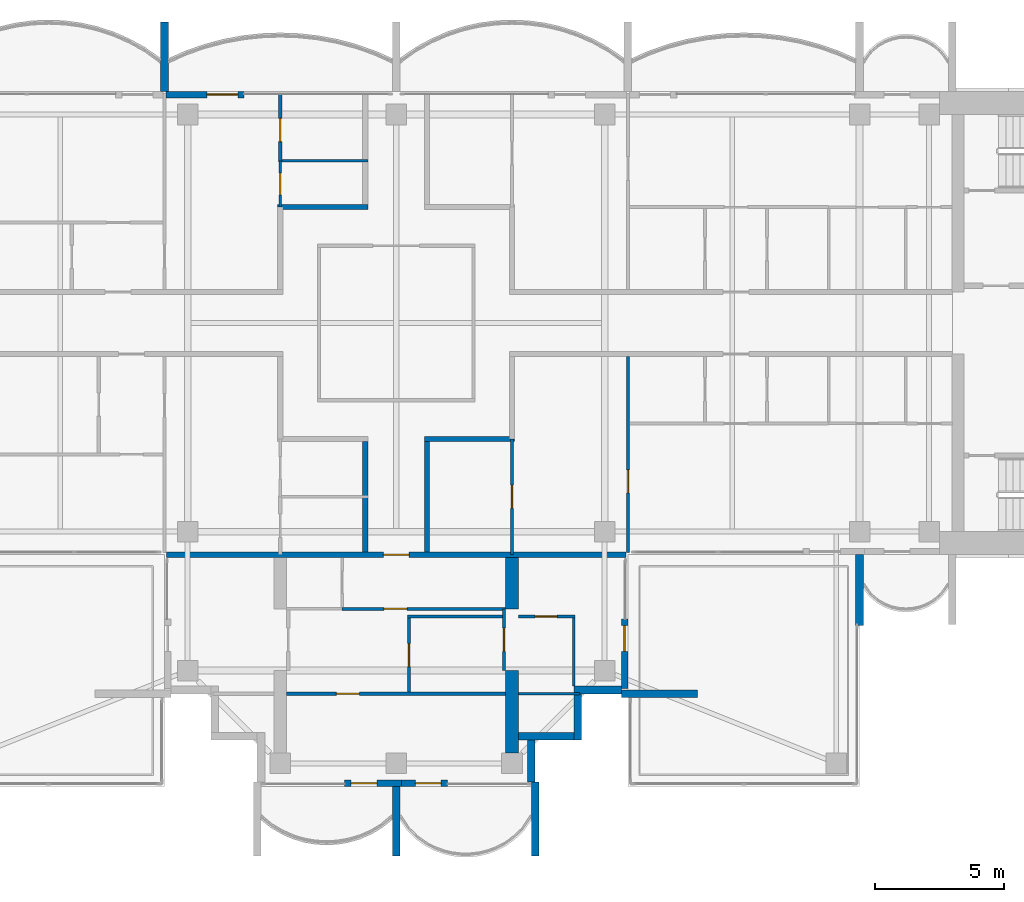
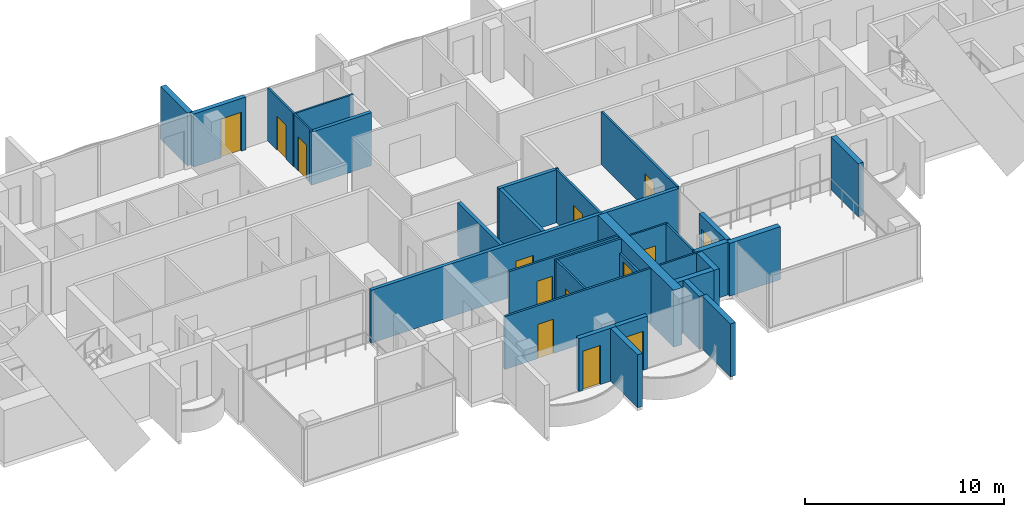
# One storey, part 9 of 16: 32 walls, 14 doors, 14 openings.
"""IFC4 building model written with IfcOpenShell, lengths in metres."""

from ifc_helpers import new_model, si_unit, direction, frame, frame_2d, origin, place, context, subcontext, project, spatial, polyline, rectangle, outline, extrude, material, layer, layer_set, material_profile, profile_set, type_object, element, fill, save


model = new_model("IFC4")

# Units and contexts
model_context = context("Model", 3, precision=1e-05, world=origin(), true_north=direction((0.0, 1.0)))
body_context = subcontext(model_context, "Body", "Model", "MODEL_VIEW")
ifc_project = project(units=[si_unit("LENGTHUNIT", "METRE"), si_unit("AREAUNIT", "SQUARE_METRE"), si_unit("VOLUMEUNIT", "CUBIC_METRE"), si_unit("PLANEANGLEUNIT", "RADIAN"), si_unit("MASSUNIT", "GRAM", prefix="KILO")], contexts=[model_context])

# Site, building, storey
site_placement = place(None, origin())
site = spatial("IfcSite", under=ifc_project, at=site_placement, CompositionType="ELEMENT")
building_placement = place(site_placement, origin())
building = spatial("IfcBuilding", under=site, at=building_placement, Name="Perihelion Cross Residences", CompositionType="ELEMENT")
storey_placement = place(building_placement, frame((0.0, 0.0, 250.0)))
storey = spatial("IfcBuildingStorey", under=building, at=storey_placement, Name="L63", CompositionType="ELEMENT", Elevation=250.0)

# Walls
ifc_material_1 = material(Name="Plasterboard partition")
ifc_layer_1 = layer(ifc_material_1, 0.199951171875)
ifc_layer_set_1 = layer_set([ifc_layer_1], Name="Apartment separation wall 200")
wall_type_1 = type_object("IfcWallType", Name="Apartment separation wall 200", PredefinedType="PARTITIONING", material=ifc_layer_set_1)
wall_1_placement = place(storey_placement, frame((4.60009765625, -4.5, 0.0), z_axis=(0.0, 0.0, 1.0), x_axis=(-1.0, 0.0, 0.0)))
element("IfcWall", 1, at=wall_1_placement, inside=storey, type_object=wall_type_1, Name="Partition L63 W011", PredefinedType="PARTITIONING", context=body_context, shape_type="SweptSolid", body=[
    extrude(rectangle(XDim=3.5, YDim=0.199951171875, at=frame_2d((1.75, 0.0))), origin(), (0.0, 0.0, 1.0), 3.25),
])
wall_2_placement = place(storey_placement, frame((1.199951171875, -4.60009765625, 0.0), z_axis=(0.0, 0.0, 1.0), x_axis=(0.0, -1.0, 0.0)))
element("IfcWall", 2, at=wall_2_placement, inside=storey, type_object=wall_type_1, Name="Partition L63 W012", PredefinedType="PARTITIONING", context=body_context, shape_type="SweptSolid", body=[
    extrude(rectangle(XDim=4.2998046875, YDim=0.199951171875, at=frame_2d((2.14990234375, 0.0))), origin(), (0.0, 0.0, 1.0), 3.25),
])
wall_3_placement = place(storey_placement, frame((-4.60009765625, 4.5, 0.0), z_axis=(0.0, 0.0, 1.0), x_axis=(1.0, 0.0, 0.0)))
element("IfcWall", 3, at=wall_3_placement, inside=storey, type_object=wall_type_1, Name="Partition L63 W015", PredefinedType="PARTITIONING", context=body_context, shape_type="SweptSolid", body=[
    extrude(rectangle(XDim=3.5, YDim=0.199951171875, at=frame_2d((1.75, 0.0))), origin(), (0.0, 0.0, 1.0), 3.25),
])
wall_4_placement = place(storey_placement, frame((-1.199951171875, -8.89990234375, 0.0), z_axis=(0.0, 0.0, 1.0), x_axis=(0.0, 1.0, 0.0)))
element("IfcWall", 4, at=wall_4_placement, inside=storey, type_object=wall_type_1, Name="Partition L63 W019", PredefinedType="PARTITIONING", context=body_context, shape_type="SweptSolid", body=[
    extrude(rectangle(XDim=4.2998046875, YDim=0.199951171875, at=frame_2d((2.14990234375, 0.0))), origin(), (0.0, 0.0, 1.0), 3.25),
])

# Wall, opening, door
wall_5_placement = place(storey_placement, frame((8.919921875, -9.0, 0.0), z_axis=(0.0, 0.0, 1.0), x_axis=(-1.0, 0.0, 0.0)))
wall_5 = element("IfcWall", 5, at=wall_5_placement, inside=storey, type_object=wall_type_1, Name="Partition L63 W021", PredefinedType="PARTITIONING", context=body_context, shape_type="SweptSolid", body=[
    extrude(rectangle(XDim=17.83984375, YDim=0.199951171875, at=frame_2d((8.919921875, 0.0))), origin(), (0.0, 0.0, 1.0), 3.25),
])
opening_1_placement = place(wall_5_placement, frame((8.419921875, 0.0, 0.0)))
opening_1 = element("IfcOpeningElement", 6, at=opening_1_placement, cuts=wall_5, Name="Opening L63.A32", PredefinedType="OPENING", context=body_context, shape_type="SweptSolid", body=[
    extrude(rectangle(XDim=1.0, YDim=2.10009765625, at=frame_2d((0.5, 1.050048828125))), frame((0.0, 0.10986328125, 0.0), z_axis=(0.0, -1.0, 0.0), x_axis=(1.0, 0.0, 0.0)), (0.0, 0.0, 1.0), 0.219970703125),
])
ifc_material_2 = material(Name="Timber door leaf", Category="wood")
door_type_1 = type_object("IfcDoorType", Name="Flat entrance door 1000 x 2100", OperationType="SINGLE_SWING_LEFT", PredefinedType="DOOR", material=ifc_material_2)
door_1_placement = place(opening_1_placement, origin())
door_1 = element("IfcDoor", 7, at=door_1_placement, inside=storey, type_object=door_type_1, Name="Door L63.A32", OperationType="SINGLE_SWING_RIGHT", OverallHeight=2.10009765625, OverallWidth=1.0, PredefinedType="DOOR", context=body_context, shape_type="SweptSolid", body=[
    extrude(rectangle(XDim=1.0, YDim=2.10009765625, at=frame_2d((0.5, 1.050048828125))), frame((0.0, 0.02490234375, 0.0), z_axis=(0.0, -1.0, 0.0), x_axis=(1.0, 0.0, 0.0)), (0.0, 0.0, 1.0), 0.050048828125),
])
fill(opening_1, door_1)

ifc_material_3 = material(Name="Concrete C30/37, bronze-clad", Category="concrete")
ifc_layer_2 = layer(ifc_material_3, 0.25)
ifc_layer_set_2 = layer_set([ifc_layer_2], Name="Bronze-clad pier wall 250")
wall_type_2 = type_object("IfcWallType", Name="Bronze-clad pier wall 250", PredefinedType="SOLIDWALL", material=ifc_layer_set_2)
wall_6_placement = place(storey_placement, frame((-5.89990234375, 8.875, 0.0), z_axis=(0.0, 0.0, 1.0), x_axis=(-1.0, 0.0, 0.0)))
wall_6 = element("IfcWall", 8, at=wall_6_placement, inside=storey, type_object=wall_type_2, Name="Wall FW1 L63 north side east bay 2 pier", PredefinedType="SOLIDWALL", context=body_context, shape_type="SweptSolid", body=[
    extrude(rectangle(XDim=3.0400390625, YDim=0.25, at=frame_2d((1.52001953125, 0.0))), origin(), (0.0, 0.0, 1.0), 3.25),
])
opening_2_placement = place(wall_6_placement, frame((0.25, 0.0, 0.0)))
opening_2 = element("IfcOpeningElement", 9, at=opening_2_placement, cuts=wall_6, Name="Opening L63.E04", PredefinedType="OPENING", context=body_context, shape_type="SweptSolid", body=[
    extrude(rectangle(XDim=1.199951171875, YDim=2.39990234375, at=frame_2d((0.60009765625, 1.199951171875))), frame((0.0, 0.135009765625, 0.0), z_axis=(0.0, -1.0, 0.0), x_axis=(1.0, 0.0, 0.0)), (0.0, 0.0, 1.0), 0.27001953125),
])
ifc_material_4 = material(Name="Bronze anodised aluminium, glazed", Category="aluminium")
door_type_2 = type_object("IfcDoorType", Name="Balcony door 1200 x 2400", OperationType="NOTDEFINED", PredefinedType="DOOR", material=ifc_material_4)
door_2_placement = place(opening_2_placement, origin())
door_2 = element("IfcDoor", 10, at=door_2_placement, inside=storey, type_object=door_type_2, Name="Door L63.E04 north side east bay 2", OperationType="SINGLE_SWING_RIGHT", OverallHeight=2.39990234375, OverallWidth=1.199951171875, PredefinedType="DOOR", context=body_context, shape_type="SweptSolid", body=[
    extrude(rectangle(XDim=1.199951171875, YDim=2.39990234375, at=frame_2d((0.60009765625, 1.199951171875))), frame((0.0, 0.02490234375, 0.0), z_axis=(0.0, -1.0, 0.0), x_axis=(1.0, 0.0, 0.0)), (0.0, 0.0, 1.0), 0.050048828125),
])
fill(opening_2, door_2)

wall_7_placement = place(storey_placement, frame((-2.0, -17.875, 0.0), z_axis=(0.0, 0.0, 1.0), x_axis=(1.0, 0.0, 0.0)))
wall_7 = element("IfcWall", 11, at=wall_7_placement, inside=storey, type_object=wall_type_2, Name="Wall FW1 L63 south tip south bay 1 pier", PredefinedType="SOLIDWALL", context=body_context, shape_type="SweptSolid", body=[
    extrude(rectangle(XDim=2.199951171875, YDim=0.25, at=frame_2d((1.10009765625, 0.0))), origin(), (0.0, 0.0, 1.0), 3.25),
])
opening_3_placement = place(wall_7_placement, frame((0.25, 0.0, 0.0)))
opening_3 = element("IfcOpeningElement", 12, at=opening_3_placement, cuts=wall_7, Name="Opening L63.E10", PredefinedType="OPENING", context=body_context, shape_type="SweptSolid", body=[
    extrude(rectangle(XDim=1.0, YDim=2.39990234375, at=frame_2d((0.5, 1.199951171875))), frame((0.0, 0.135009765625, 0.0), z_axis=(0.0, -1.0, 0.0), x_axis=(1.0, 0.0, 0.0)), (0.0, 0.0, 1.0), 0.27001953125),
])
ifc_material_5 = material(Name="Bronze anodised aluminium, glazed", Category="aluminium")
door_type_3 = type_object("IfcDoorType", Name="Balcony door 1000 x 2400", OperationType="NOTDEFINED", PredefinedType="DOOR", material=ifc_material_5)
door_3_placement = place(opening_3_placement, origin())
door_3 = element("IfcDoor", 13, at=door_3_placement, inside=storey, type_object=door_type_3, Name="Door L63.E10 south tip south bay 1", OperationType="SINGLE_SWING_RIGHT", OverallHeight=2.39990234375, OverallWidth=1.0, PredefinedType="DOOR", context=body_context, shape_type="SweptSolid", body=[
    extrude(rectangle(XDim=1.0, YDim=2.39990234375, at=frame_2d((0.5, 1.199951171875))), frame((0.0, 0.02490234375, 0.0), z_axis=(0.0, -1.0, 0.0), x_axis=(1.0, 0.0, 0.0)), (0.0, 0.0, 1.0), 0.050048828125),
])
fill(opening_3, door_3)

wall_8_placement = place(storey_placement, frame((0.199951171875, -17.875, 0.0), z_axis=(0.0, 0.0, 1.0), x_axis=(1.0, 0.0, 0.0)))
wall_8 = element("IfcWall", 14, at=wall_8_placement, inside=storey, type_object=wall_type_2, Name="Wall FW1 L63 south tip south bay 2 pier", PredefinedType="SOLIDWALL", context=body_context, shape_type="SweptSolid", body=[
    extrude(rectangle(XDim=1.800048828125, YDim=0.25, at=frame_2d((0.89990234375, 0.0))), origin(), (0.0, 0.0, 1.0), 3.25),
])
opening_4_placement = place(wall_8_placement, frame((0.550048828125, 0.0, 0.0)))
opening_4 = element("IfcOpeningElement", 15, at=opening_4_placement, cuts=wall_8, Name="Opening L63.E11", PredefinedType="OPENING", context=body_context, shape_type="SweptSolid", body=[
    extrude(rectangle(XDim=1.0, YDim=2.39990234375, at=frame_2d((0.5, 1.199951171875))), frame((0.0, 0.135009765625, 0.0), z_axis=(0.0, -1.0, 0.0), x_axis=(1.0, 0.0, 0.0)), (0.0, 0.0, 1.0), 0.27001953125),
])
door_4_placement = place(opening_4_placement, origin())
door_4 = element("IfcDoor", 16, at=door_4_placement, inside=storey, type_object=door_type_3, Name="Door L63.E11 south tip south bay 2", OperationType="SINGLE_SWING_LEFT", OverallHeight=2.39990234375, OverallWidth=1.0, PredefinedType="DOOR", context=body_context, shape_type="SweptSolid", body=[
    extrude(rectangle(XDim=1.0, YDim=2.39990234375, at=frame_2d((0.5, 1.199951171875))), frame((0.0, 0.02490234375, 0.0), z_axis=(0.0, -1.0, 0.0), x_axis=(1.0, 0.0, 0.0)), (0.0, 0.0, 1.0), 0.050048828125),
])
fill(opening_4, door_4)

wall_9_placement = place(storey_placement, frame((8.875, -14.199951171875, 0.0), z_axis=(0.0, 0.0, 1.0), x_axis=(0.0, 1.0, 0.0)))
wall_9 = element("IfcWall", 17, at=wall_9_placement, inside=storey, type_object=wall_type_2, Name="Wall FW1 L63 south side east bay 1 pier", PredefinedType="SOLIDWALL", context=body_context, shape_type="SweptSolid", body=[
    extrude(rectangle(XDim=2.699951171875, YDim=0.25, at=frame_2d((1.35009765625, 0.0))), origin(), (0.0, 0.0, 1.0), 3.25),
])
opening_5_placement = place(wall_9_placement, frame((1.449951171875, 0.0, 0.0)))
opening_5 = element("IfcOpeningElement", 18, at=opening_5_placement, cuts=wall_9, Name="Opening L63.E12", PredefinedType="OPENING", context=body_context, shape_type="SweptSolid", body=[
    extrude(rectangle(XDim=1.0, YDim=2.39990234375, at=frame_2d((0.5, 1.199951171875))), frame((0.0, 0.135009765625, 0.0), z_axis=(0.0, -1.0, 0.0), x_axis=(1.0, 0.0, 0.0)), (0.0, 0.0, 1.0), 0.27001953125),
])
door_5_placement = place(opening_5_placement, origin())
door_5 = element("IfcDoor", 19, at=door_5_placement, inside=storey, type_object=door_type_3, Name="Door L63.E12 south side east bay 1", OperationType="SINGLE_SWING_RIGHT", OverallHeight=2.39990234375, OverallWidth=1.0, PredefinedType="DOOR", context=body_context, shape_type="SweptSolid", body=[
    extrude(rectangle(XDim=1.0, YDim=2.39990234375, at=frame_2d((0.5, 1.199951171875))), frame((0.0, 0.02490234375, 0.0), z_axis=(0.0, -1.0, 0.0), x_axis=(1.0, 0.0, 0.0)), (0.0, 0.0, 1.0), 0.050048828125),
])
fill(opening_5, door_5)

# Walls
ifc_material_6 = material(Name="Concrete C30/37, bronze-clad", Category="concrete")
ifc_layer_3 = layer(ifc_material_6, 0.300048828125)
ifc_layer_set_3 = layer_set([ifc_layer_3], Name="Bronze-clad serration wall 300")
wall_type_3 = type_object("IfcWallType", Name="Bronze-clad serration wall 300", PredefinedType="SOLIDWALL", material=ifc_layer_set_3)
wall_10_placement = place(storey_placement, frame((5.25, -17.820068359375, 0.0), z_axis=(0.0, 0.0, 1.0), x_axis=(0.0, 1.0, 0.0)))
element("IfcWall", 20, at=wall_10_placement, inside=storey, type_object=wall_type_3, Name="Wall SR1 L63 south corner south-east 1", PredefinedType="SOLIDWALL", context=body_context, shape_type="SweptSolid", body=[
    extrude(rectangle(XDim=1.6201171875, YDim=0.300048828125, at=frame_2d((0.81005859375, 0.0))), origin(), (0.0, 0.0, 1.0), 3.25),
])
wall_11_placement = place(storey_placement, frame((4.75, -16.050048828125, 0.0), z_axis=(0.0, 0.0, 1.0), x_axis=(1.0, 0.0, 0.0)))
element("IfcWall", 21, at=wall_11_placement, inside=storey, type_object=wall_type_3, Name="Wall SR1 L63 south corner south-east 2", PredefinedType="SOLIDWALL", context=body_context, shape_type="SweptSolid", body=[
    extrude(rectangle(XDim=2.14990234375, YDim=0.300048828125, at=frame_2d((1.074951171875, 0.0))), origin(), (0.0, 0.0, 1.0), 3.25),
])
wall_12_placement = place(storey_placement, frame((7.050048828125, -16.199951171875, 0.0), z_axis=(0.0, 0.0, 1.0), x_axis=(0.0, 1.0, 0.0)))
element("IfcWall", 22, at=wall_12_placement, inside=storey, type_object=wall_type_3, Name="Wall SR1 L63 south corner south-east 3", PredefinedType="SOLIDWALL", context=body_context, shape_type="SweptSolid", body=[
    extrude(rectangle(XDim=1.800048828125, YDim=0.300048828125, at=frame_2d((0.89990234375, 0.0))), origin(), (0.0, 0.0, 1.0), 3.25),
])
wall_13_placement = place(storey_placement, frame((6.89990234375, -14.25, 0.0), z_axis=(0.0, 0.0, 1.0), x_axis=(1.0, 0.0, 0.0)))
element("IfcWall", 23, at=wall_13_placement, inside=storey, type_object=wall_type_3, Name="Wall SR1 L63 south corner south-east 4", PredefinedType="SOLIDWALL", context=body_context, shape_type="SweptSolid", body=[
    extrude(rectangle(XDim=1.85009765625, YDim=0.300048828125, at=frame_2d((0.925048828125, 0.0))), origin(), (0.0, 0.0, 1.0), 3.25),
])

# Wall, opening, door
ifc_material_7 = material(Name="Plasterboard partition")
ifc_layer_4 = layer(ifc_material_7, 0.1201171875)
ifc_layer_set_4 = layer_set([ifc_layer_4], Name="Infill panel 120")
wall_type_4 = type_object("IfcWallType", Name="Infill panel 120", PredefinedType="PARTITIONING", material=ifc_layer_set_4)
wall_14_placement = place(storey_placement, frame((4.18994140625, -11.10009765625, 0.0), z_axis=(0.0, 0.0, 1.0), x_axis=(0.0, -1.0, 0.0)))
wall_14 = element("IfcWall", 24, at=wall_14_placement, inside=storey, type_object=wall_type_4, Name="Partition L63 WI01", PredefinedType="PARTITIONING", context=body_context, shape_type="SweptSolid", body=[
    extrude(rectangle(XDim=2.39990234375, YDim=0.1201171875, at=frame_2d((1.199951171875, 0.0))), origin(), (0.0, 0.0, 1.0), 2.39990234375),
])
opening_6_placement = place(wall_14_placement, frame((0.75, 0.0, 0.0)))
opening_6 = element("IfcOpeningElement", 25, at=opening_6_placement, cuts=wall_14, Name="Opening L63.A42", PredefinedType="OPENING", context=body_context, shape_type="SweptSolid", body=[
    extrude(rectangle(XDim=0.89990234375, YDim=2.10009765625, at=frame_2d((0.449951171875, 1.050048828125))), frame((0.0, 0.070068359375, 0.0), z_axis=(0.0, -1.0, 0.0), x_axis=(1.0, 0.0, 0.0)), (0.0, 0.0, 1.0), 0.14013671875),
])
ifc_material_8 = material(Name="Timber door leaf", Category="wood")
door_type_4 = type_object("IfcDoorType", Name="Interior room door 900 x 2100", OperationType="SINGLE_SWING_LEFT", PredefinedType="DOOR", material=ifc_material_8)
door_6_placement = place(opening_6_placement, origin())
door_6 = element("IfcDoor", 26, at=door_6_placement, inside=storey, type_object=door_type_4, Name="Door L63.A42", OperationType="SINGLE_SWING_LEFT", OverallHeight=2.10009765625, OverallWidth=0.89990234375, PredefinedType="DOOR", context=body_context, shape_type="SweptSolid", body=[
    extrude(rectangle(XDim=0.89990234375, YDim=2.10009765625, at=frame_2d((0.449951171875, 1.050048828125))), frame((0.0, 0.02490234375, 0.0), z_axis=(0.0, -1.0, 0.0), x_axis=(1.0, 0.0, 0.0)), (0.0, 0.0, 1.0), 0.050048828125),
])
fill(opening_6, door_6)

ifc_material_9 = material(Name="Plasterboard partition")
ifc_layer_5 = layer(ifc_material_9, 0.1201171875)
ifc_layer_set_5 = layer_set([ifc_layer_5], Name="Partition wall 120")
wall_type_5 = type_object("IfcWallType", Name="Partition wall 120", PredefinedType="PARTITIONING", material=ifc_layer_set_5)
wall_15_placement = place(storey_placement, frame((9.0, -8.919921875, 0.0), z_axis=(0.0, 0.0, 1.0), x_axis=(0.0, 1.0, 0.0)))
wall_15 = element("IfcWall", 27, at=wall_15_placement, inside=storey, type_object=wall_type_5, Name="Partition L63 W033", PredefinedType="PARTITIONING", context=body_context, shape_type="SweptSolid", body=[
    extrude(rectangle(XDim=7.619873046875, YDim=0.1201171875, at=frame_2d((3.81005859375, 0.0))), origin(), (0.0, 0.0, 1.0), 3.25),
])
opening_7_placement = place(wall_15_placement, frame((2.320068359375, 0.0, 0.0)))
opening_7 = element("IfcOpeningElement", 28, at=opening_7_placement, cuts=wall_15, Name="Opening L63.A14", PredefinedType="OPENING", context=body_context, shape_type="SweptSolid", body=[
    extrude(rectangle(XDim=0.89990234375, YDim=2.10009765625, at=frame_2d((0.449951171875, 1.050048828125))), frame((0.0, 0.070068359375, 0.0), z_axis=(0.0, -1.0, 0.0), x_axis=(1.0, 0.0, 0.0)), (0.0, 0.0, 1.0), 0.14013671875),
])
door_7_placement = place(opening_7_placement, origin())
door_7 = element("IfcDoor", 29, at=door_7_placement, inside=storey, type_object=door_type_4, Name="Door L63.A14", OperationType="SINGLE_SWING_RIGHT", OverallHeight=2.10009765625, OverallWidth=0.89990234375, PredefinedType="DOOR", context=body_context, shape_type="SweptSolid", body=[
    extrude(rectangle(XDim=0.89990234375, YDim=2.10009765625, at=frame_2d((0.449951171875, 1.050048828125))), frame((0.0, 0.02490234375, 0.0), z_axis=(0.0, -1.0, 0.0), x_axis=(1.0, 0.0, 0.0)), (0.0, 0.0, 1.0), 0.050048828125),
])
fill(opening_7, door_7)

wall_16_placement = place(storey_placement, frame((4.5, -9.0, 0.0), z_axis=(0.0, 0.0, 1.0), x_axis=(0.0, 1.0, 0.0)))
wall_16 = element("IfcWall", 30, at=wall_16_placement, inside=storey, type_object=wall_type_5, Name="Partition L63 W039", PredefinedType="PARTITIONING", context=body_context, shape_type="SweptSolid", body=[
    extrude(rectangle(XDim=4.5, YDim=0.1201171875, at=frame_2d((2.25, 0.0))), origin(), (0.0, 0.0, 1.0), 3.25),
])
opening_8_placement = place(wall_16_placement, frame((1.800048828125, 0.0, 0.0)))
opening_8 = element("IfcOpeningElement", 31, at=opening_8_placement, cuts=wall_16, Name="Opening L63.A10", PredefinedType="OPENING", context=body_context, shape_type="SweptSolid", body=[
    extrude(rectangle(XDim=0.89990234375, YDim=2.10009765625, at=frame_2d((0.449951171875, 1.050048828125))), frame((0.0, 0.070068359375, 0.0), z_axis=(0.0, -1.0, 0.0), x_axis=(1.0, 0.0, 0.0)), (0.0, 0.0, 1.0), 0.14013671875),
])
door_8_placement = place(opening_8_placement, origin())
door_8 = element("IfcDoor", 32, at=door_8_placement, inside=storey, type_object=door_type_4, Name="Door L63.A10", OperationType="SINGLE_SWING_LEFT", OverallHeight=2.10009765625, OverallWidth=0.89990234375, PredefinedType="DOOR", context=body_context, shape_type="SweptSolid", body=[
    extrude(rectangle(XDim=0.89990234375, YDim=2.10009765625, at=frame_2d((0.449951171875, 1.050048828125))), frame((0.0, 0.02490234375, 0.0), z_axis=(0.0, -1.0, 0.0), x_axis=(1.0, 0.0, 0.0)), (0.0, 0.0, 1.0), 0.050048828125),
])
fill(opening_8, door_8)

wall_17_placement = place(storey_placement, frame((-4.5, 8.919921875, 0.0), z_axis=(0.0, 0.0, 1.0), x_axis=(0.0, -1.0, 0.0)))
wall_17 = element("IfcWall", 33, at=wall_17_placement, inside=storey, type_object=wall_type_5, Name="Partition L63 W049", PredefinedType="PARTITIONING", context=body_context, shape_type="SweptSolid", body=[
    extrude(rectangle(XDim=2.619873046875, YDim=0.1201171875, at=frame_2d((1.31005859375, 0.0))), origin(), (0.0, 0.0, 1.0), 3.25),
])
opening_9_placement = place(wall_17_placement, frame((0.969970703125, 0.0, 0.0)))
opening_9 = element("IfcOpeningElement", 34, at=opening_9_placement, cuts=wall_17, Name="Opening L63.A21", PredefinedType="OPENING", context=body_context, shape_type="SweptSolid", body=[
    extrude(rectangle(XDim=0.89990234375, YDim=2.10009765625, at=frame_2d((0.449951171875, 1.050048828125))), frame((0.0, 0.070068359375, 0.0), z_axis=(0.0, -1.0, 0.0), x_axis=(1.0, 0.0, 0.0)), (0.0, 0.0, 1.0), 0.14013671875),
])
door_9_placement = place(opening_9_placement, origin())
door_9 = element("IfcDoor", 35, at=door_9_placement, inside=storey, type_object=door_type_4, Name="Door L63.A21", OperationType="SINGLE_SWING_LEFT", OverallHeight=2.10009765625, OverallWidth=0.89990234375, PredefinedType="DOOR", context=body_context, shape_type="SweptSolid", body=[
    extrude(rectangle(XDim=0.89990234375, YDim=2.10009765625, at=frame_2d((0.449951171875, 1.050048828125))), frame((0.0, 0.02490234375, 0.0), z_axis=(0.0, -1.0, 0.0), x_axis=(1.0, 0.0, 0.0)), (0.0, 0.0, 1.0), 0.050048828125),
])
fill(opening_9, door_9)

wall_18_placement = place(storey_placement, frame((4.25, -11.10009765625, 0.0), z_axis=(0.0, 0.0, 1.0), x_axis=(-1.0, 0.0, 0.0)))
wall_18 = element("IfcWall", 36, at=wall_18_placement, inside=storey, type_object=wall_type_5, Name="Partition L63 W062", PredefinedType="PARTITIONING", context=body_context, shape_type="SweptSolid", body=[
    extrude(rectangle(XDim=6.35009765625, YDim=0.1201171875, at=frame_2d((3.175048828125, 0.0))), origin(), (0.0, 0.0, 1.0), 3.25),
])
opening_10_placement = place(wall_18_placement, frame((3.824951171875, 0.0, 0.0)))
opening_10 = element("IfcOpeningElement", 37, at=opening_10_placement, cuts=wall_18, Name="Opening L63.A34", PredefinedType="OPENING", context=body_context, shape_type="SweptSolid", body=[
    extrude(rectangle(XDim=0.89990234375, YDim=2.10009765625, at=frame_2d((0.449951171875, 1.050048828125))), frame((0.0, 0.070068359375, 0.0), z_axis=(0.0, -1.0, 0.0), x_axis=(1.0, 0.0, 0.0)), (0.0, 0.0, 1.0), 0.14013671875),
])
door_10_placement = place(opening_10_placement, origin())
door_10 = element("IfcDoor", 38, at=door_10_placement, inside=storey, type_object=door_type_4, Name="Door L63.A34", OperationType="SINGLE_SWING_LEFT", OverallHeight=2.10009765625, OverallWidth=0.89990234375, PredefinedType="DOOR", context=body_context, shape_type="SweptSolid", body=[
    extrude(rectangle(XDim=0.89990234375, YDim=2.10009765625, at=frame_2d((0.449951171875, 1.050048828125))), frame((0.0, 0.02490234375, 0.0), z_axis=(0.0, -1.0, 0.0), x_axis=(1.0, 0.0, 0.0)), (0.0, 0.0, 1.0), 0.050048828125),
])
fill(opening_10, door_10)

# Wall
wall_19_placement = place(storey_placement, frame((4.25, -11.39990234375, 0.0), z_axis=(0.0, 0.0, 1.0), x_axis=(-1.0, 0.0, 0.0)))
element("IfcWall", 39, at=wall_19_placement, inside=storey, type_object=wall_type_5, Name="Partition L63 W064", PredefinedType="PARTITIONING", context=body_context, shape_type="SweptSolid", body=[
    extrude(rectangle(XDim=3.81005859375, YDim=0.1201171875, at=frame_2d((1.905029296875, 0.0))), origin(), (0.0, 0.0, 1.0), 3.25),
])

# Wall, opening, door
wall_20_placement = place(storey_placement, frame((0.5, -11.4599609375, 0.0), z_axis=(0.0, 0.0, 1.0), x_axis=(0.0, -1.0, 0.0)))
wall_20 = element("IfcWall", 40, at=wall_20_placement, inside=storey, type_object=wall_type_5, Name="Partition L63 W065", PredefinedType="PARTITIONING", context=body_context, shape_type="SweptSolid", body=[
    extrude(rectangle(XDim=2.880126953125, YDim=0.1201171875, at=frame_2d((1.43994140625, 0.0))), origin(), (0.0, 0.0, 1.0), 3.25),
])
opening_11_placement = place(wall_20_placement, frame((0.989990234375, 0.0, 0.0)))
opening_11 = element("IfcOpeningElement", 41, at=opening_11_placement, cuts=wall_20, Name="Opening L63.A35", PredefinedType="OPENING", context=body_context, shape_type="SweptSolid", body=[
    extrude(rectangle(XDim=0.89990234375, YDim=2.10009765625, at=frame_2d((0.449951171875, 1.050048828125))), frame((0.0, 0.070068359375, 0.0), z_axis=(0.0, -1.0, 0.0), x_axis=(1.0, 0.0, 0.0)), (0.0, 0.0, 1.0), 0.14013671875),
])
door_11_placement = place(opening_11_placement, origin())
door_11 = element("IfcDoor", 42, at=door_11_placement, inside=storey, type_object=door_type_4, Name="Door L63.A35", OperationType="SINGLE_SWING_RIGHT", OverallHeight=2.10009765625, OverallWidth=0.89990234375, PredefinedType="DOOR", context=body_context, shape_type="SweptSolid", body=[
    extrude(rectangle(XDim=0.89990234375, YDim=2.10009765625, at=frame_2d((0.449951171875, 1.050048828125))), frame((0.0, 0.02490234375, 0.0), z_axis=(0.0, -1.0, 0.0), x_axis=(1.0, 0.0, 0.0)), (0.0, 0.0, 1.0), 0.050048828125),
])
fill(opening_11, door_11)

wall_21_placement = place(storey_placement, frame((4.25, -14.39990234375, 0.0), z_axis=(0.0, 0.0, 1.0), x_axis=(-1.0, 0.0, 0.0)))
wall_21 = element("IfcWall", 43, at=wall_21_placement, inside=storey, type_object=wall_type_5, Name="Partition L63 W066", PredefinedType="PARTITIONING", context=body_context, shape_type="SweptSolid", body=[
    extrude(rectangle(XDim=8.5, YDim=0.1201171875, at=frame_2d((4.25, 0.0))), origin(), (0.0, 0.0, 1.0), 3.25),
])
opening_12_placement = place(wall_21_placement, frame((5.675048828125, 0.0, 0.0)))
opening_12 = element("IfcOpeningElement", 44, at=opening_12_placement, cuts=wall_21, Name="Opening L63.A36", PredefinedType="OPENING", context=body_context, shape_type="SweptSolid", body=[
    extrude(rectangle(XDim=0.89990234375, YDim=2.10009765625, at=frame_2d((0.449951171875, 1.050048828125))), frame((0.0, 0.070068359375, 0.0), z_axis=(0.0, -1.0, 0.0), x_axis=(1.0, 0.0, 0.0)), (0.0, 0.0, 1.0), 0.14013671875),
])
door_12_placement = place(opening_12_placement, origin())
door_12 = element("IfcDoor", 45, at=door_12_placement, inside=storey, type_object=door_type_4, Name="Door L63.A36", OperationType="SINGLE_SWING_RIGHT", OverallHeight=2.10009765625, OverallWidth=0.89990234375, PredefinedType="DOOR", context=body_context, shape_type="SweptSolid", body=[
    extrude(rectangle(XDim=0.89990234375, YDim=2.10009765625, at=frame_2d((0.449951171875, 1.050048828125))), frame((0.0, 0.02490234375, 0.0), z_axis=(0.0, -1.0, 0.0), x_axis=(1.0, 0.0, 0.0)), (0.0, 0.0, 1.0), 0.050048828125),
])
fill(opening_12, door_12)

# Walls
ifc_material_10 = material(Name="Precast concrete C50/60", Category="concrete")
ifc_layer_6 = layer(ifc_material_10, 0.300048828125)
ifc_layer_set_6 = layer_set([ifc_layer_6], Name="Precast concrete C50/60 blade wall 300")
wall_type_6 = type_object("IfcWallType", Name="Precast concrete C50/60 blade wall 300", PredefinedType="SOLIDWALL", material=ifc_layer_set_6)
for number, where, z_axis, x_axis, name in (
    (46, (-9.0, 9.0, 0.0), (0.0, 0.0, 1.0), (0.0, 1.0, 0.0), "Wall BL1 L63 no. 7"),
    (47, (0.0, -18.0, 0.0), (0.0, 0.0, 1.0), (0.0, -1.0, 0.0), "Wall BL1 L63 no. 8"),
):
    element("IfcWall", number, at=place(storey_placement, frame(where, z_axis=z_axis, x_axis=x_axis)), inside=storey, type_object=wall_type_6, Name=name, PredefinedType="SOLIDWALL", context=body_context, shape_type="SweptSolid", body=[
        extrude(rectangle(XDim=2.699951171875, YDim=0.300048828125, at=frame_2d((1.35009765625, 0.0))), origin(), (0.0, 0.0, 1.0), 3.25),
    ])
wall_22_placement = place(storey_placement, frame((5.39990234375, -17.820068359375, 0.0), z_axis=(0.0, 0.0, 1.0), x_axis=(0.0, -1.0, 0.0)))
element("IfcWall", 48, at=wall_22_placement, inside=storey, type_object=wall_type_6, Name="Wall BL1 L63 no. 14", PredefinedType="SOLIDWALL", context=body_context, shape_type="SweptSolid", body=[
    extrude(rectangle(XDim=2.8798828125, YDim=0.300048828125, at=frame_2d((1.43994140625, 0.0))), origin(), (0.0, 0.0, 1.0), 3.25),
])
wall_23_placement = place(storey_placement, frame((8.75, -14.39990234375, 0.0), z_axis=(0.0, 0.0, 1.0), x_axis=(1.0, 0.0, 0.0)))
element("IfcWall", 49, at=wall_23_placement, inside=storey, type_object=wall_type_6, Name="Wall BL1 L63 no. 15", PredefinedType="SOLIDWALL", context=body_context, shape_type="SweptSolid", body=[
    extrude(rectangle(XDim=2.949951171875, YDim=0.300048828125, at=frame_2d((1.47509765625, 0.0))), origin(), (0.0, 0.0, 1.0), 3.25),
])
wall_24_placement = place(storey_placement, frame((18.0, -9.0, 0.0), z_axis=(0.0, 0.0, 1.0), x_axis=(0.0, -1.0, 0.0)))
element("IfcWall", 50, at=wall_24_placement, inside=storey, type_object=wall_type_6, Name="Wall BL1 L63 no. 10", PredefinedType="SOLIDWALL", context=body_context, shape_type="SweptSolid", body=[
    extrude(rectangle(XDim=2.739990234375, YDim=0.300048828125, at=frame_2d((1.3701171875, 0.0))), origin(), (0.0, 0.0, 1.0), 3.25),
])
ifc_material_11 = material(Name="Concrete C50/60", Category="concrete")
ifc_material_profile = material_profile(ifc_material_11, outline(polyline([(0.0, 0.0), (3.199951171875, 0.0), (3.199951171875, 2.64990234375), (5.60009765625, 2.64990234375), (5.60009765625, 0.0), (7.699951171875, 0.0), (7.699951171875, 3.5), (0.0, 3.5), (0.0, 0.0)])), Name="Tip spine wall")
ifc_profile_set = profile_set([ifc_material_profile], Name="Concrete C50/60")
wall_type_7 = type_object("IfcWallType", Name="Tip spine wall 500 with 1 door openings 7700 long 3500 high concrete C50/60", PredefinedType="SHEAR", material=ifc_profile_set)
wall_25_placement = place(storey_placement, frame((4.25, -16.699951171875, -0.25), z_axis=(1.0, 0.0, 0.0), x_axis=(0.0, 1.0, 0.0)))
element("IfcWall", 51, at=wall_25_placement, inside=storey, type_object=wall_type_7, Name="Shear wall SW45 L63 south east", PredefinedType="SHEAR", context=body_context, shape_type="SweptSolid", body=[
    extrude(outline(polyline([(0.0, 0.0), (3.199951171875, 0.0), (3.199951171875, 2.64990234375), (5.60009765625, 2.64990234375), (5.60009765625, 0.0), (7.699951171875, 0.0), (7.699951171875, 3.5), (0.0, 3.5), (0.0, 0.0)])), origin(), (0.0, 0.0, 1.0), 0.5),
])

# Wall, opening, door
ifc_material_12 = material(Name="Plasterboard partition")
ifc_layer_7 = layer(ifc_material_12, 0.10009765625)
ifc_layer_set_7 = layer_set([ifc_layer_7], Name="Wet room wall 100")
wall_type_8 = type_object("IfcWallType", Name="Wet room wall 100", PredefinedType="PARTITIONING", material=ifc_layer_set_7)
wall_26_placement = place(storey_placement, frame((-4.5, 6.300048828125, 0.0), z_axis=(0.0, 0.0, 1.0), x_axis=(0.0, -1.0, 0.0)))
wall_26 = element("IfcWall", 52, at=wall_26_placement, inside=storey, type_object=wall_type_8, Name="Partition L63 W048", PredefinedType="PARTITIONING", context=body_context, shape_type="SweptSolid", body=[
    extrude(rectangle(XDim=1.800048828125, YDim=0.10009765625, at=frame_2d((0.89990234375, 0.0))), origin(), (0.0, 0.0, 1.0), 3.25),
])
opening_13_placement = place(wall_26_placement, frame((0.47509765625, 0.0, 0.0)))
opening_13 = element("IfcOpeningElement", 53, at=opening_13_placement, cuts=wall_26, Name="Opening L63.A22", PredefinedType="OPENING", context=body_context, shape_type="SweptSolid", body=[
    extrude(rectangle(XDim=0.85009765625, YDim=2.10009765625, at=frame_2d((0.425048828125, 1.050048828125))), frame((0.0, 0.06005859375, 0.0), z_axis=(0.0, -1.0, 0.0), x_axis=(1.0, 0.0, 0.0)), (0.0, 0.0, 1.0), 0.1201171875),
])
ifc_material_13 = material(Name="Timber door leaf", Category="wood")
door_type_5 = type_object("IfcDoorType", Name="Interior bathroom door 850 x 2100", OperationType="SINGLE_SWING_LEFT", PredefinedType="DOOR", material=ifc_material_13)
door_13_placement = place(opening_13_placement, origin())
door_13 = element("IfcDoor", 54, at=door_13_placement, inside=storey, type_object=door_type_5, Name="Door L63.A22", OperationType="SINGLE_SWING_LEFT", OverallHeight=2.10009765625, OverallWidth=0.85009765625, PredefinedType="DOOR", context=body_context, shape_type="SweptSolid", body=[
    extrude(rectangle(XDim=0.85009765625, YDim=2.10009765625, at=frame_2d((0.425048828125, 1.050048828125))), frame((0.0, 0.02490234375, 0.0), z_axis=(0.0, -1.0, 0.0), x_axis=(1.0, 0.0, 0.0)), (0.0, 0.0, 1.0), 0.050048828125),
])
fill(opening_13, door_13)

# Walls
wall_27_placement = place(storey_placement, frame((-4.56005859375, 6.300048828125, 0.0), z_axis=(0.0, 0.0, 1.0), x_axis=(1.0, 0.0, 0.0)))
element("IfcWall", 55, at=wall_27_placement, inside=storey, type_object=wall_type_8, Name="Partition L63 W050", PredefinedType="PARTITIONING", context=body_context, shape_type="SweptSolid", body=[
    extrude(rectangle(XDim=3.4599609375, YDim=0.10009765625, at=frame_2d((1.72998046875, 0.0))), origin(), (0.0, 0.0, 1.0), 3.25),
])
wall_28_placement = place(storey_placement, frame((6.89990234375, -14.10009765625, 0.0), z_axis=(0.0, 0.0, 1.0), x_axis=(0.0, 1.0, 0.0)))
element("IfcWall", 56, at=wall_28_placement, inside=storey, type_object=wall_type_8, Name="Partition L63 W067", PredefinedType="PARTITIONING", context=body_context, shape_type="SweptSolid", body=[
    extrude(rectangle(XDim=2.650146484375, YDim=0.10009765625, at=frame_2d((1.3251953125, 0.0))), origin(), (0.0, 0.0, 1.0), 3.25),
])

# Wall, opening, door
wall_29_placement = place(storey_placement, frame((6.949951171875, -11.39990234375, 0.0), z_axis=(0.0, 0.0, 1.0), x_axis=(-1.0, 0.0, 0.0)))
wall_29 = element("IfcWall", 57, at=wall_29_placement, inside=storey, type_object=wall_type_8, Name="Partition L63 W068", PredefinedType="PARTITIONING", context=body_context, shape_type="SweptSolid", body=[
    extrude(rectangle(XDim=2.199951171875, YDim=0.10009765625, at=frame_2d((1.10009765625, 0.0))), origin(), (0.0, 0.0, 1.0), 3.25),
])
opening_14_placement = place(wall_29_placement, frame((0.699951171875, 0.0, 0.0)))
opening_14 = element("IfcOpeningElement", 58, at=opening_14_placement, cuts=wall_29, Name="Opening L63.A37", PredefinedType="OPENING", context=body_context, shape_type="SweptSolid", body=[
    extrude(rectangle(XDim=0.85009765625, YDim=2.10009765625, at=frame_2d((0.425048828125, 1.050048828125))), frame((0.0, 0.06005859375, 0.0), z_axis=(0.0, -1.0, 0.0), x_axis=(1.0, 0.0, 0.0)), (0.0, 0.0, 1.0), 0.1201171875),
])
door_14_placement = place(opening_14_placement, origin())
door_14 = element("IfcDoor", 59, at=door_14_placement, inside=storey, type_object=door_type_5, Name="Door L63.A37", OperationType="SINGLE_SWING_LEFT", OverallHeight=2.10009765625, OverallWidth=0.85009765625, PredefinedType="DOOR", context=body_context, shape_type="SweptSolid", body=[
    extrude(rectangle(XDim=0.85009765625, YDim=2.10009765625, at=frame_2d((0.425048828125, 1.050048828125))), frame((0.0, 0.02490234375, 0.0), z_axis=(0.0, -1.0, 0.0), x_axis=(1.0, 0.0, 0.0)), (0.0, 0.0, 1.0), 0.050048828125),
])
fill(opening_14, door_14)

# Wall
wall_30_placement = place(storey_placement, frame((7.1201171875, -14.39990234375, 0.0), z_axis=(0.0, 0.0, 1.0), x_axis=(-1.0, 0.0, 0.0)))
element("IfcWall", 60, at=wall_30_placement, inside=storey, type_object=wall_type_8, Name="Partition L63 W069", PredefinedType="PARTITIONING", context=body_context, shape_type="SweptSolid", body=[
    extrude(rectangle(XDim=2.3701171875, YDim=0.10009765625, at=frame_2d((1.18505859375, 0.0))), origin(), (0.0, 0.0, 1.0), 3.25),
])

save(model, "model.ifc")
